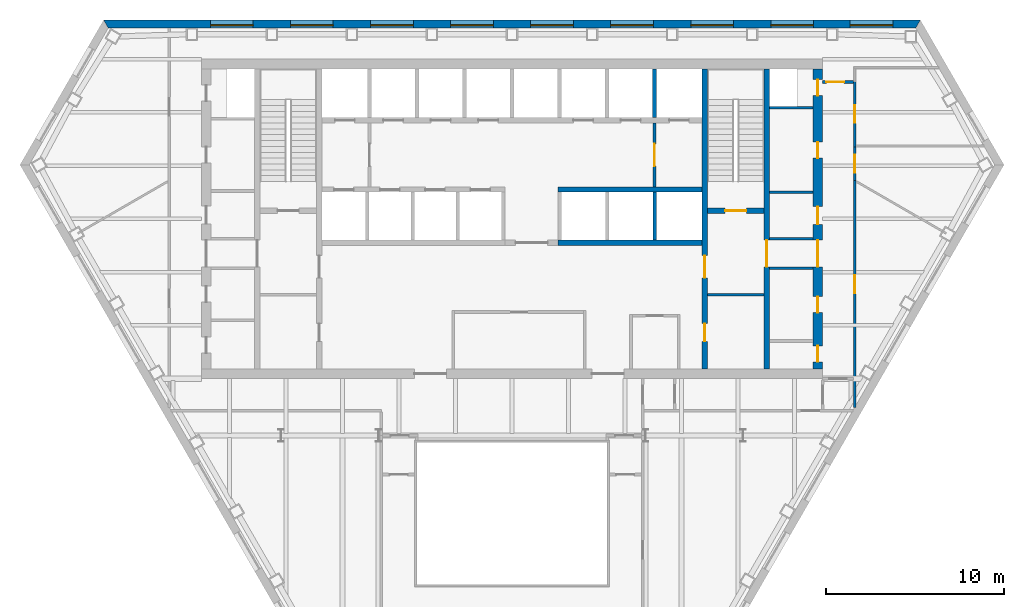
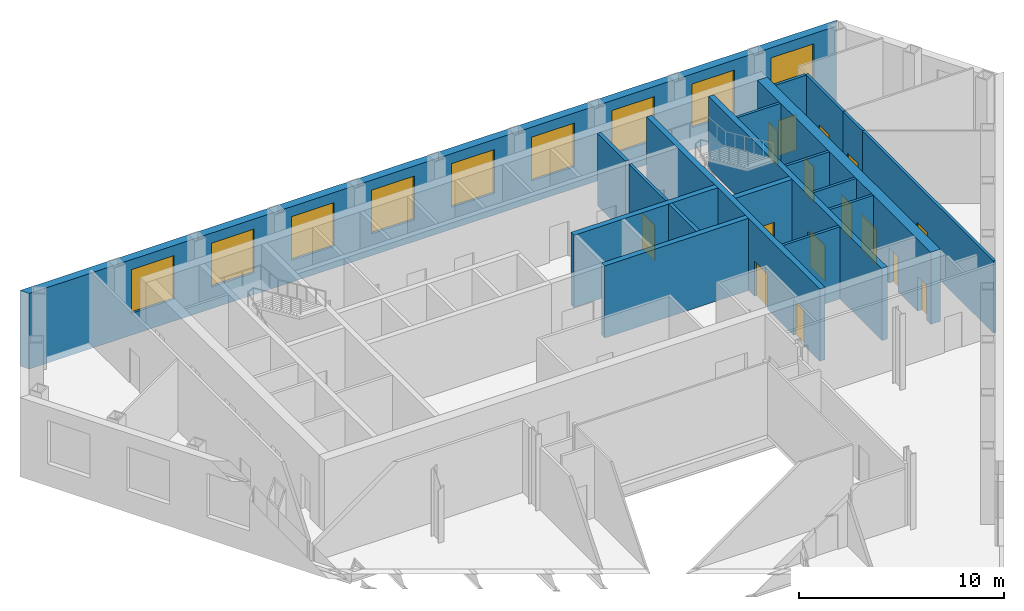
# One storey, part 7 of 11: 19 walls, 15 doors, 9 windows, 24 openings.
"""IFC4 building model written with IfcOpenShell, lengths in metres."""

from ifc_helpers import new_model, si_unit, direction, frame, frame_2d, origin, place, context, subcontext, project, spatial, polyline, rectangle, outline, extrude, material, layer, layer_set, type_object, element, fill, save


model = new_model("IFC4")

# Units and contexts
model_context = context("Model", 3, precision=1e-05, world=origin(), true_north=direction((0.0, 1.0)))
body_context = subcontext(model_context, "Body", "Model", "MODEL_VIEW")
ifc_project = project(units=[si_unit("LENGTHUNIT", "METRE"), si_unit("AREAUNIT", "SQUARE_METRE"), si_unit("VOLUMEUNIT", "CUBIC_METRE"), si_unit("PLANEANGLEUNIT", "RADIAN"), si_unit("MASSUNIT", "GRAM", prefix="KILO")], contexts=[model_context])

# Site, building, storey
site_placement = place(None, origin())
site = spatial("IfcSite", under=ifc_project, at=site_placement, CompositionType="ELEMENT")
building_placement = place(site_placement, origin())
building = spatial("IfcBuilding", under=site, at=building_placement, Name="Njiva Tower", CompositionType="ELEMENT")
storey_placement = place(building_placement, frame((0.0, 0.0, 129.3)))
storey = spatial("IfcBuildingStorey", under=building, at=storey_placement, Name="L27", CompositionType="ELEMENT", Elevation=129.3)

# Walls
ifc_material_1 = material(Name="Blockwork", Category="masonry")
ifc_layer_1 = layer(ifc_material_1, 0.15)
ifc_layer_set_1 = layer_set([ifc_layer_1], Name="Blockwork")
wall_type_1 = type_object("IfcWallType", Name="WT1 Compartment partition 150", PredefinedType="PARTITIONING", material=ifc_layer_set_1)
wall_1_placement = place(storey_placement, frame((11.0, 4.725, 0.0), z_axis=(0.0, 0.0, 1.0), x_axis=(1.0, 0.0, 0.0)))
element("IfcWall", 1, at=wall_1_placement, inside=storey, type_object=wall_type_1, Name="Room wall B", PredefinedType="PARTITIONING", context=body_context, shape_type="SweptSolid", body=[
    extrude(rectangle(XDim=3.2, YDim=0.15, at=frame_2d((1.6, 0.0))), origin(), (0.0, 0.0, 1.0), 4.3),
])
wall_2_placement = place(storey_placement, frame((14.5, 10.5019, 0.0), z_axis=(0.0, 0.0, 1.0), x_axis=(1.0, 0.0, 0.0)))
element("IfcWall", 2, at=wall_2_placement, inside=storey, type_object=wall_type_1, Name="Partition strip E10", PredefinedType="PARTITIONING", context=body_context, shape_type="SweptSolid", body=[
    extrude(rectangle(XDim=2.45, YDim=0.15, at=frame_2d((1.225, 0.0))), origin(), (0.0, 0.0, 1.0), 4.3),
])

# Wall, openings, doors
ifc_material_2 = material(Name="Concrete C40/50", Category="concrete")
ifc_layer_2 = layer(ifc_material_2, 0.3)
ifc_layer_set_2 = layer_set([ifc_layer_2], Name="Concrete C40/50")
wall_type_2 = type_object("IfcWallType", Name="WT10 Stair enclosure wall 300", PredefinedType="SHEAR", material=ifc_layer_set_2)
wall_3_placement = place(storey_placement, frame((10.85, 0.55, 0.0), z_axis=(0.0, 0.0, 1.0), x_axis=(0.0, 1.0, 0.0)))
wall_3 = element("IfcWall", 3, at=wall_3_placement, inside=storey, type_object=wall_type_2, Name="Stair wall east inner", PredefinedType="SHEAR", context=body_context, shape_type="SweptSolid", body=[
    extrude(rectangle(XDim=16.9, YDim=0.3, at=frame_2d((8.45, 0.0))), origin(), (0.0, 0.0, 1.0), 4.3),
])
opening_1_placement = place(wall_3_placement, frame((5.125, 0.0, 0.0)))
opening_1 = element("IfcOpeningElement", 4, at=opening_1_placement, cuts=wall_3, Name="Opening S09-D918", PredefinedType="OPENING", context=body_context, shape_type="SweptSolid", body=[
    extrude(rectangle(XDim=1.25, YDim=2.1, at=frame_2d((0.625, 1.05))), frame((0.0, 0.16, 0.0), z_axis=(0.0, -1.0, 0.0), x_axis=(1.0, 0.0, 0.0)), (0.0, 0.0, 1.0), 0.32),
])
opening_2_placement = place(wall_3_placement, frame((1.55, 0.0, 0.0)))
opening_2 = element("IfcOpeningElement", 5, at=opening_2_placement, cuts=wall_3, Name="Opening S09-D919", PredefinedType="OPENING", context=body_context, shape_type="SweptSolid", body=[
    extrude(rectangle(XDim=1.0, YDim=2.1, at=frame_2d((0.5, 1.05))), frame((0.0, 0.16, 0.0), z_axis=(0.0, -1.0, 0.0), x_axis=(1.0, 0.0, 0.0)), (0.0, 0.0, 1.0), 0.32),
])
ifc_material_3 = material(Name="Steel door, painted", Category="steel")
door_type_1 = type_object("IfcDoorType", Name="D5 Steel door 1000x2100", OperationType="SINGLE_SWING_LEFT", PredefinedType="DOOR", material=ifc_material_3)
door_1_placement = place(opening_2_placement, origin())
door_1 = element("IfcDoor", 6, at=door_1_placement, inside=storey, type_object=door_type_1, Name="Prayer room door", OperationType="SINGLE_SWING_LEFT", OverallHeight=2.1, OverallWidth=1.0, PredefinedType="DOOR", context=body_context, shape_type="SweptSolid", body=[
    extrude(rectangle(XDim=1.0, YDim=2.1, at=frame_2d((0.5, 1.05))), frame((0.0, 0.025, 0.0), z_axis=(0.0, -1.0, 0.0), x_axis=(1.0, 0.0, 0.0)), (0.0, 0.0, 1.0), 0.05),
])
fill(opening_2, door_1)
ifc_material_4 = material(Name="Glazed steel fire door", Category="steel")
door_type_2 = type_object("IfcDoorType", Name="D8 Vestibule corridor door 1250x2100 glazed", OperationType="SINGLE_SWING_LEFT", PredefinedType="DOOR", material=ifc_material_4)
door_2_placement = place(opening_1_placement, origin())
door_2 = element("IfcDoor", 7, at=door_2_placement, inside=storey, type_object=door_type_2, Name="Stair vestibule corridor door", OperationType="SINGLE_SWING_RIGHT", OverallHeight=2.1, OverallWidth=1.25, PredefinedType="DOOR", context=body_context, shape_type="SweptSolid", body=[
    extrude(rectangle(XDim=1.25, YDim=2.1, at=frame_2d((0.625, 1.05))), frame((0.0, 0.025, 0.0), z_axis=(0.0, -1.0, 0.0), x_axis=(1.0, 0.0, 0.0)), (0.0, 0.0, 1.0), 0.05),
])
fill(opening_1, door_2)

# Wall, opening, door
wall_4_placement = place(storey_placement, frame((14.35, 0.55, 0.0), z_axis=(0.0, 0.0, 1.0), x_axis=(0.0, 1.0, 0.0)))
wall_4 = element("IfcWall", 8, at=wall_4_placement, inside=storey, type_object=wall_type_2, Name="Stair wall east outer", PredefinedType="SHEAR", context=body_context, shape_type="SweptSolid", body=[
    extrude(rectangle(XDim=16.9, YDim=0.3, at=frame_2d((8.45, 0.0))), origin(), (0.0, 0.0, 1.0), 4.3),
])
opening_3_placement = place(wall_4_placement, frame((5.75, 0.0, 0.0)))
opening_3 = element("IfcOpeningElement", 9, at=opening_3_placement, cuts=wall_4, Name="Opening S09-D927", PredefinedType="OPENING", context=body_context, shape_type="SweptSolid", body=[
    extrude(rectangle(XDim=1.5, YDim=2.1, at=frame_2d((0.75, 1.05))), frame((0.0, 0.16, 0.0), z_axis=(0.0, -1.0, 0.0), x_axis=(1.0, 0.0, 0.0)), (0.0, 0.0, 1.0), 0.32),
])
door_type_3 = type_object("IfcDoorType", Name="D10 Exit door double 1500x2100 glazed", OperationType="DOUBLE_DOOR_SINGLE_SWING", PredefinedType="DOOR", material=ifc_material_4)
door_3_placement = place(opening_3_placement, origin())
door_3 = element("IfcDoor", 10, at=door_3_placement, inside=storey, type_object=door_type_3, Name="Stair B passage door", OperationType="DOUBLE_DOOR_SINGLE_SWING", OverallHeight=2.1, OverallWidth=1.5, PredefinedType="DOOR", context=body_context, shape_type="SweptSolid", body=[
    extrude(rectangle(XDim=1.5, YDim=2.1, at=frame_2d((0.75, 1.05))), frame((0.0, 0.025, 0.0), z_axis=(0.0, -1.0, 0.0), x_axis=(1.0, 0.0, 0.0)), (0.0, 0.0, 1.0), 0.05),
])
fill(opening_3, door_3)

wall_5_placement = place(storey_placement, frame((11.0, 9.45, 0.0), z_axis=(0.0, 0.0, 1.0), x_axis=(1.0, 0.0, 0.0)))
wall_5 = element("IfcWall", 11, at=wall_5_placement, inside=storey, type_object=wall_type_2, Name="Stair B south wall", PredefinedType="SHEAR", context=body_context, shape_type="SweptSolid", body=[
    extrude(rectangle(XDim=3.2, YDim=0.3, at=frame_2d((1.6, 0.0))), origin(), (0.0, 0.0, 1.0), 4.3),
])
opening_4_placement = place(wall_5_placement, frame((1.0, 0.0, 0.0)))
opening_4 = element("IfcOpeningElement", 12, at=opening_4_placement, cuts=wall_5, Name="Opening S09-D917", PredefinedType="OPENING", context=body_context, shape_type="SweptSolid", body=[
    extrude(rectangle(XDim=1.2, YDim=2.1, at=frame_2d((0.6, 1.05))), frame((0.0, 0.16, 0.0), z_axis=(0.0, -1.0, 0.0), x_axis=(1.0, 0.0, 0.0)), (0.0, 0.0, 1.0), 0.32),
])
door_type_4 = type_object("IfcDoorType", Name="D7 Stair vestibule door 1200x2100 glazed", OperationType="SINGLE_SWING_LEFT", PredefinedType="DOOR", material=ifc_material_4)
door_4_placement = place(opening_4_placement, origin())
door_4 = element("IfcDoor", 13, at=door_4_placement, inside=storey, type_object=door_type_4, Name="Stair B door", OperationType="SINGLE_SWING_LEFT", OverallHeight=2.1, OverallWidth=1.2, PredefinedType="DOOR", context=body_context, shape_type="SweptSolid", body=[
    extrude(rectangle(XDim=1.2, YDim=2.1, at=frame_2d((0.6, 1.05))), frame((0.0, 0.025, 0.0), z_axis=(0.0, -1.0, 0.0), x_axis=(1.0, 0.0, 0.0)), (0.0, 0.0, 1.0), 0.05),
])
fill(opening_4, door_4)

# Wall, openings, doors
ifc_material_5 = material(Name="Concrete C60/75", Category="concrete")
ifc_layer_3 = layer(ifc_material_5, 0.55)
ifc_layer_set_3 = layer_set([ifc_layer_3], Name="Concrete C60/75")
wall_type_3 = type_object("IfcWallType", Name="WT14 Core wall 550", PredefinedType="SHEAR", material=ifc_layer_set_3)
wall_6_placement = place(storey_placement, frame((17.225, 0.55, 0.0), z_axis=(0.0, 0.0, 1.0), x_axis=(0.0, 1.0, 0.0)))
wall_6 = element("IfcWall", 14, at=wall_6_placement, inside=storey, type_object=wall_type_3, Name="Core wall east", PredefinedType="SHEAR", context=body_context, shape_type="SweptSolid", body=[
    extrude(rectangle(XDim=16.9, YDim=0.55, at=frame_2d((8.45, 0.0))), origin(), (0.0, 0.0, 1.0), 4.3),
])
opening_5_placement = place(wall_6_placement, frame((5.75, 0.0, 0.0)))
opening_5 = element("IfcOpeningElement", 15, at=opening_5_placement, cuts=wall_6, Name="Opening S09-D928", PredefinedType="OPENING", context=body_context, shape_type="SweptSolid", body=[
    extrude(rectangle(XDim=1.5, YDim=2.1, at=frame_2d((0.75, 1.05))), frame((0.0, 0.285, 0.0), z_axis=(0.0, -1.0, 0.0), x_axis=(1.0, 0.0, 0.0)), (0.0, 0.0, 1.0), 0.57),
])
opening_6_placement = place(wall_6_placement, frame((0.4, 0.0, 0.0)))
opening_6 = element("IfcOpeningElement", 16, at=opening_6_placement, cuts=wall_6, Name="Opening S09-D929", PredefinedType="OPENING", context=body_context, shape_type="SweptSolid", body=[
    extrude(rectangle(XDim=0.9, YDim=2.1, at=frame_2d((0.45, 1.05))), frame((0.0, 0.285, 0.0), z_axis=(0.0, -1.0, 0.0), x_axis=(1.0, 0.0, 0.0)), (0.0, 0.0, 1.0), 0.57),
])
opening_7_placement = place(wall_6_placement, frame((3.175, 0.0, 0.0)))
opening_7 = element("IfcOpeningElement", 17, at=opening_7_placement, cuts=wall_6, Name="Opening S09-D930", PredefinedType="OPENING", context=body_context, shape_type="SweptSolid", body=[
    extrude(rectangle(XDim=0.9, YDim=2.1, at=frame_2d((0.45, 1.05))), frame((0.0, 0.285, 0.0), z_axis=(0.0, -1.0, 0.0), x_axis=(1.0, 0.0, 0.0)), (0.0, 0.0, 1.0), 0.57),
])
opening_8_placement = place(wall_6_placement, frame((8.1385, 0.0, 0.0)))
opening_8 = element("IfcOpeningElement", 18, at=opening_8_placement, cuts=wall_6, Name="Opening S09-D931", PredefinedType="OPENING", context=body_context, shape_type="SweptSolid", body=[
    extrude(rectangle(XDim=1.0, YDim=2.1, at=frame_2d((0.5, 1.05))), frame((0.0, 0.285, 0.0), z_axis=(0.0, -1.0, 0.0), x_axis=(1.0, 0.0, 0.0)), (0.0, 0.0, 1.0), 0.57),
])
opening_9_placement = place(wall_6_placement, frame((11.8769, 0.0, 0.0)))
opening_9 = element("IfcOpeningElement", 19, at=opening_9_placement, cuts=wall_6, Name="Opening S09-D932", PredefinedType="OPENING", context=body_context, shape_type="SweptSolid", body=[
    extrude(rectangle(XDim=0.9, YDim=2.1, at=frame_2d((0.45, 1.05))), frame((0.0, 0.285, 0.0), z_axis=(0.0, -1.0, 0.0), x_axis=(1.0, 0.0, 0.0)), (0.0, 0.0, 1.0), 0.57),
])
opening_10_placement = place(wall_6_placement, frame((15.3885, 0.0, 0.0)))
opening_10 = element("IfcOpeningElement", 20, at=opening_10_placement, cuts=wall_6, Name="Opening S09-D933", PredefinedType="OPENING", context=body_context, shape_type="SweptSolid", body=[
    extrude(rectangle(XDim=0.9, YDim=2.1, at=frame_2d((0.45, 1.05))), frame((0.0, 0.285, 0.0), z_axis=(0.0, -1.0, 0.0), x_axis=(1.0, 0.0, 0.0)), (0.0, 0.0, 1.0), 0.57),
])
door_5_placement = place(opening_5_placement, origin())
door_5 = element("IfcDoor", 21, at=door_5_placement, inside=storey, type_object=door_type_3, Name="Stair B corridor door", OperationType="DOUBLE_DOOR_SINGLE_SWING", OverallHeight=2.1, OverallWidth=1.5, PredefinedType="DOOR", context=body_context, shape_type="SweptSolid", body=[
    extrude(rectangle(XDim=1.5, YDim=2.1, at=frame_2d((0.75, 1.05))), frame((0.0, 0.025, 0.0), z_axis=(0.0, -1.0, 0.0), x_axis=(1.0, 0.0, 0.0)), (0.0, 0.0, 1.0), 0.05),
])
fill(opening_5, door_5)
door_type_5 = type_object("IfcDoorType", Name="D4 Riser door 900x2100", OperationType="SINGLE_SWING_LEFT", PredefinedType="DOOR", material=ifc_material_3)
door_6_placement = place(opening_10_placement, origin())
door_6 = element("IfcDoor", 22, at=door_6_placement, inside=storey, type_object=door_type_5, Name="Riser door", OperationType="SINGLE_SWING_RIGHT", OverallHeight=2.1, OverallWidth=0.9, PredefinedType="DOOR", context=body_context, shape_type="SweptSolid", body=[
    extrude(rectangle(XDim=0.9, YDim=2.1, at=frame_2d((0.45, 1.05))), frame((0.0, 0.025, 0.0), z_axis=(0.0, -1.0, 0.0), x_axis=(1.0, 0.0, 0.0)), (0.0, 0.0, 1.0), 0.05),
])
fill(opening_10, door_6)
door_7_placement = place(opening_8_placement, origin())
door_7 = element("IfcDoor", 23, at=door_7_placement, inside=storey, type_object=door_type_1, Name="Electrical room door", OperationType="SINGLE_SWING_LEFT", OverallHeight=2.1, OverallWidth=1.0, PredefinedType="DOOR", context=body_context, shape_type="SweptSolid", body=[
    extrude(rectangle(XDim=1.0, YDim=2.1, at=frame_2d((0.5, 1.05))), frame((0.0, 0.025, 0.0), z_axis=(0.0, -1.0, 0.0), x_axis=(1.0, 0.0, 0.0)), (0.0, 0.0, 1.0), 0.05),
])
fill(opening_8, door_7)
ifc_material_6 = material(Name="Steel fire door, painted", Category="steel")
door_type_6 = type_object("IfcDoorType", Name="D6 Fire-rated door 900x2100", OperationType="SINGLE_SWING_LEFT", PredefinedType="DOOR", material=ifc_material_6)
door_8_placement = place(opening_6_placement, origin())
door_8 = element("IfcDoor", 24, at=door_8_placement, inside=storey, type_object=door_type_6, Name="Cleaner's store door", OperationType="SINGLE_SWING_RIGHT", OverallHeight=2.1, OverallWidth=0.9, PredefinedType="DOOR", context=body_context, shape_type="SweptSolid", body=[
    extrude(rectangle(XDim=0.9, YDim=2.1, at=frame_2d((0.45, 1.05))), frame((0.0, 0.025, 0.0), z_axis=(0.0, -1.0, 0.0), x_axis=(1.0, 0.0, 0.0)), (0.0, 0.0, 1.0), 0.05),
])
fill(opening_6, door_8)
door_9_placement = place(opening_7_placement, origin())
door_9 = element("IfcDoor", 25, at=door_9_placement, inside=storey, type_object=door_type_6, Name="Reading room door", OperationType="SINGLE_SWING_RIGHT", OverallHeight=2.1, OverallWidth=0.9, PredefinedType="DOOR", context=body_context, shape_type="SweptSolid", body=[
    extrude(rectangle(XDim=0.9, YDim=2.1, at=frame_2d((0.45, 1.05))), frame((0.0, 0.025, 0.0), z_axis=(0.0, -1.0, 0.0), x_axis=(1.0, 0.0, 0.0)), (0.0, 0.0, 1.0), 0.05),
])
fill(opening_7, door_9)
door_10_placement = place(opening_9_placement, origin())
door_10 = element("IfcDoor", 26, at=door_10_placement, inside=storey, type_object=door_type_6, Name="Prayer room door", OperationType="SINGLE_SWING_LEFT", OverallHeight=2.1, OverallWidth=0.9, PredefinedType="DOOR", context=body_context, shape_type="SweptSolid", body=[
    extrude(rectangle(XDim=0.9, YDim=2.1, at=frame_2d((0.45, 1.05))), frame((0.0, 0.025, 0.0), z_axis=(0.0, -1.0, 0.0), x_axis=(1.0, 0.0, 0.0)), (0.0, 0.0, 1.0), 0.05),
])
fill(opening_9, door_10)

# Wall, opening, door
ifc_layer_4 = layer(ifc_material_1, 0.15)
ifc_layer_set_4 = layer_set([ifc_layer_4], Name="Blockwork")
wall_type_4 = type_object("IfcWallType", Name="WT2 Lobby partition 150", PredefinedType="PARTITIONING", material=ifc_layer_set_4)
wall_7_placement = place(storey_placement, frame((8.025, 10.8, 0.0), z_axis=(0.0, 0.0, 1.0), x_axis=(0.0, 1.0, 0.0)))
wall_7 = element("IfcWall", 27, at=wall_7_placement, inside=storey, type_object=wall_type_4, Name="Firefighting lobby wall B", PredefinedType="PARTITIONING", context=body_context, shape_type="SweptSolid", body=[
    extrude(rectangle(XDim=3.6, YDim=0.15, at=frame_2d((1.8, 0.0))), origin(), (0.0, 0.0, 1.0), 4.3),
])
opening_11_placement = place(wall_7_placement, frame((1.175, 0.0, 0.0)))
opening_11 = element("IfcOpeningElement", 28, at=opening_11_placement, cuts=wall_7, Name="Opening S09-D916", PredefinedType="OPENING", context=body_context, shape_type="SweptSolid", body=[
    extrude(rectangle(XDim=1.25, YDim=2.1, at=frame_2d((0.625, 1.05))), frame((0.0, 0.085, 0.0), z_axis=(0.0, -1.0, 0.0), x_axis=(1.0, 0.0, 0.0)), (0.0, 0.0, 1.0), 0.17),
])
door_11_placement = place(opening_11_placement, origin())
door_11 = element("IfcDoor", 29, at=door_11_placement, inside=storey, type_object=door_type_2, Name="Stair vestibule corridor door", OperationType="SINGLE_SWING_LEFT", OverallHeight=2.1, OverallWidth=1.25, PredefinedType="DOOR", context=body_context, shape_type="SweptSolid", body=[
    extrude(rectangle(XDim=1.25, YDim=2.1, at=frame_2d((0.625, 1.05))), frame((0.0, 0.025, 0.0), z_axis=(0.0, -1.0, 0.0), x_axis=(1.0, 0.0, 0.0)), (0.0, 0.0, 1.0), 0.05),
])
fill(opening_11, door_11)

ifc_material_7 = material(Name="Gypsum board on steel studs", Category="gypsum")
ifc_layer_5 = layer(ifc_material_7, 0.15)
ifc_layer_set_5 = layer_set([ifc_layer_5], Name="Gypsum board on steel studs")
wall_type_5 = type_object("IfcWallType", Name="WT21 Compartment wall 150", PredefinedType="PARTITIONING", material=ifc_layer_set_5)
wall_8_placement = place(storey_placement, frame((17.5, 16.711, 0.0), z_axis=(0.0, 0.0, 1.0), x_axis=(1.0, 0.0, 0.0)))
wall_8 = element("IfcWall", 30, at=wall_8_placement, inside=storey, type_object=wall_type_5, Name="Partition S09-P019", PredefinedType="PARTITIONING", context=body_context, shape_type="SweptSolid", body=[
    extrude(rectangle(XDim=1.725, YDim=0.15, at=frame_2d((0.8625, 0.0))), origin(), (0.0, 0.0, 1.0), 4.3),
])
opening_12_placement = place(wall_8_placement, frame((0.2, 0.0, 0.0)))
opening_12 = element("IfcOpeningElement", 31, at=opening_12_placement, cuts=wall_8, Name="Opening S09-D014", PredefinedType="OPENING", context=body_context, shape_type="SweptSolid", body=[
    extrude(rectangle(XDim=1.0, YDim=2.1, at=frame_2d((0.5, 1.05))), frame((0.0, 0.085, 0.0), z_axis=(0.0, -1.0, 0.0), x_axis=(1.0, 0.0, 0.0)), (0.0, 0.0, 1.0), 0.17),
])
ifc_material_8 = material(Name="Steel fire door set", Category="steel")
door_type_7 = type_object("IfcDoorType", Name="D37 Fire door 1000x2100", OperationType="SINGLE_SWING_LEFT", PredefinedType="DOOR", material=ifc_material_8)
door_12_placement = place(opening_12_placement, origin())
door_12 = element("IfcDoor", 32, at=door_12_placement, inside=storey, type_object=door_type_7, Name="Door S09-D014", OperationType="SINGLE_SWING_RIGHT", OverallHeight=2.1, OverallWidth=1.0, PredefinedType="DOOR", context=body_context, shape_type="SweptSolid", body=[
    extrude(rectangle(XDim=1.0, YDim=2.1, at=frame_2d((0.5, 1.05))), frame((0.0, 0.025, 0.0), z_axis=(0.0, -1.0, 0.0), x_axis=(1.0, 0.0, 0.0)), (0.0, 0.0, 1.0), 0.05),
])
fill(opening_12, door_12)

wall_9_placement = place(storey_placement, frame((19.3, -1.622, 0.0), z_axis=(0.0, 0.0, 1.0), x_axis=(0.0, 1.0, 0.0)))
wall_9 = element("IfcWall", 33, at=wall_9_placement, inside=storey, type_object=wall_type_5, Name="Partition S09-P021", PredefinedType="PARTITIONING", context=body_context, shape_type="SweptSolid", body=[
    extrude(rectangle(XDim=12.792, YDim=0.15, at=frame_2d((6.396, 0.0))), origin(), (0.0, 0.0, 1.0), 4.3),
])
opening_13_placement = place(wall_9_placement, frame((6.443, 0.0, 0.0)))
opening_13 = element("IfcOpeningElement", 34, at=opening_13_placement, cuts=wall_9, Name="Opening S09-D015", PredefinedType="OPENING", context=body_context, shape_type="SweptSolid", body=[
    extrude(rectangle(XDim=1.0, YDim=2.1, at=frame_2d((0.5, 1.05))), frame((0.0, 0.085, 0.0), z_axis=(0.0, -1.0, 0.0), x_axis=(1.0, 0.0, 0.0)), (0.0, 0.0, 1.0), 0.17),
])
door_13_placement = place(opening_13_placement, origin())
door_13 = element("IfcDoor", 35, at=door_13_placement, inside=storey, type_object=door_type_7, Name="Door S09-D015", OperationType="SINGLE_SWING_RIGHT", OverallHeight=2.1, OverallWidth=1.0, PredefinedType="DOOR", context=body_context, shape_type="SweptSolid", body=[
    extrude(rectangle(XDim=1.0, YDim=2.1, at=frame_2d((0.5, 1.05))), frame((0.0, 0.025, 0.0), z_axis=(0.0, -1.0, 0.0), x_axis=(1.0, 0.0, 0.0)), (0.0, 0.0, 1.0), 0.05),
])
fill(opening_13, door_13)

wall_10_placement = place(storey_placement, frame((19.3, 13.052, 0.0), z_axis=(0.0, 0.0, 1.0), x_axis=(0.0, 1.0, 0.0)))
wall_10 = element("IfcWall", 36, at=wall_10_placement, inside=storey, type_object=wall_type_5, Name="Partition S09-P022", PredefinedType="PARTITIONING", context=body_context, shape_type="SweptSolid", body=[
    extrude(rectangle(XDim=3.671, YDim=0.15, at=frame_2d((1.8355, 0.0))), origin(), (0.0, 0.0, 1.0), 4.3),
])
opening_14_placement = place(wall_10_placement, frame((1.36, 0.0, 0.0)))
opening_14 = element("IfcOpeningElement", 37, at=opening_14_placement, cuts=wall_10, Name="Opening S09-D016", PredefinedType="OPENING", context=body_context, shape_type="SweptSolid", body=[
    extrude(rectangle(XDim=1.0, YDim=2.1, at=frame_2d((0.5, 1.05))), frame((0.0, 0.085, 0.0), z_axis=(0.0, -1.0, 0.0), x_axis=(1.0, 0.0, 0.0)), (0.0, 0.0, 1.0), 0.17),
])
door_14_placement = place(opening_14_placement, origin())
door_14 = element("IfcDoor", 38, at=door_14_placement, inside=storey, type_object=door_type_7, Name="Door S09-D016", OperationType="SINGLE_SWING_RIGHT", OverallHeight=2.1, OverallWidth=1.0, PredefinedType="DOOR", context=body_context, shape_type="SweptSolid", body=[
    extrude(rectangle(XDim=1.0, YDim=2.1, at=frame_2d((0.5, 1.05))), frame((0.0, 0.025, 0.0), z_axis=(0.0, -1.0, 0.0), x_axis=(1.0, 0.0, 0.0)), (0.0, 0.0, 1.0), 0.05),
])
fill(opening_14, door_14)

wall_11_placement = place(storey_placement, frame((19.3, 13.052, 0.0), z_axis=(0.0, 0.0, 1.0), x_axis=(0.000531349553, -0.999999858834, 0.0)))
wall_11 = element("IfcWall", 39, at=wall_11_placement, inside=storey, type_object=wall_type_5, Name="Partition S09-P024", PredefinedType="PARTITIONING", context=body_context, shape_type="SweptSolid", body=[
    extrude(rectangle(XDim=1.882, YDim=0.15, at=frame_2d((0.941, 0.0))), origin(), (0.0, 0.0, 1.0), 4.3),
])
opening_15_placement = place(wall_11_placement, frame((0.441, 0.0, 0.0)))
opening_15 = element("IfcOpeningElement", 40, at=opening_15_placement, cuts=wall_11, Name="Opening S09-D017", PredefinedType="OPENING", context=body_context, shape_type="SweptSolid", body=[
    extrude(rectangle(XDim=1.0, YDim=2.1, at=frame_2d((0.5, 1.05))), frame((0.0, 0.085, 0.0), z_axis=(0.0, -1.0, 0.0), x_axis=(1.0, 0.0, 0.0)), (0.0, 0.0, 1.0), 0.17),
])
door_15_placement = place(opening_15_placement, origin())
door_15 = element("IfcDoor", 41, at=door_15_placement, inside=storey, type_object=door_type_7, Name="Door S09-D017", OperationType="SINGLE_SWING_RIGHT", OverallHeight=2.1, OverallWidth=1.0, PredefinedType="DOOR", context=body_context, shape_type="SweptSolid", body=[
    extrude(rectangle(XDim=1.0, YDim=2.1, at=frame_2d((0.5, 1.05))), frame((0.0, 0.025, 0.0), z_axis=(0.0, -1.0, 0.0), x_axis=(1.0, 0.0, 0.0)), (0.0, 0.0, 1.0), 0.05),
])
fill(opening_15, door_15)

# Walls
ifc_layer_6 = layer(ifc_material_1, 0.15)
ifc_layer_set_6 = layer_set([ifc_layer_6], Name="Blockwork")
wall_type_6 = type_object("IfcWallType", Name="WT3 Riser partition 150", PredefinedType="PARTITIONING", material=ifc_layer_set_6)
wall_12_placement = place(storey_placement, frame((14.5, 15.2519, 0.0), z_axis=(0.0, 0.0, 1.0), x_axis=(1.0, 0.0, 0.0)))
element("IfcWall", 42, at=wall_12_placement, inside=storey, type_object=wall_type_6, Name="Partition strip E11", PredefinedType="PARTITIONING", context=body_context, shape_type="SweptSolid", body=[
    extrude(rectangle(XDim=2.45, YDim=0.15, at=frame_2d((1.225, 0.0))), origin(), (0.0, 0.0, 1.0), 4.3),
])
ifc_layer_7 = layer(ifc_material_1, 0.15)
ifc_layer_set_7 = layer_set([ifc_layer_7], Name="Blockwork")
wall_type_7 = type_object("IfcWallType", Name="WT4 Stair partition 150", PredefinedType="PARTITIONING", material=ifc_layer_set_7)
for number, where, z_axis, x_axis, name in (
    (43, (14.5, 6.225, 0.0), (0.0, 0.0, 1.0), (1.0, 0.0, 0.0), "Stair B exit passage wall south"),
    (44, (14.5, 7.875, 0.0), (0.0, 0.0, 1.0), (1.0, 0.0, 0.0), "Stair B exit passage wall north"),
):
    element("IfcWall", number, at=place(storey_placement, frame(where, z_axis=z_axis, x_axis=x_axis)), inside=storey, type_object=wall_type_7, Name=name, PredefinedType="PARTITIONING", context=body_context, shape_type="SweptSolid", body=[
        extrude(rectangle(XDim=2.45, YDim=0.15, at=frame_2d((1.225, 0.0))), origin(), (0.0, 0.0, 1.0), 4.3),
    ])
ifc_layer_8 = layer(ifc_material_2, 0.2)
ifc_layer_set_8 = layer_set([ifc_layer_8], Name="Concrete C40/50")
wall_type_8 = type_object("IfcWallType", Name="WT6 Lift shaft wall 200", PredefinedType="SHEAR", material=ifc_layer_set_8)
wall_13_placement = place(storey_placement, frame((8.025, 14.7, 0.0), z_axis=(0.0, 0.0, 1.0), x_axis=(0.0, 1.0, 0.0)))
element("IfcWall", 45, at=wall_13_placement, inside=storey, type_object=wall_type_8, Name="Shaft wall CN7", PredefinedType="SHEAR", context=body_context, shape_type="SweptSolid", body=[
    extrude(rectangle(XDim=2.75, YDim=0.2, at=frame_2d((1.375, 0.0))), origin(), (0.0, 0.0, 1.0), 4.3),
])
wall_14_placement = place(storey_placement, frame((8.0333, 7.8, 0.0), z_axis=(0.0, 0.0, 1.0), x_axis=(0.0, 1.0, 0.0)))
element("IfcWall", 46, at=wall_14_placement, inside=storey, type_object=wall_type_8, Name="Shaft wall CS7", PredefinedType="SHEAR", context=body_context, shape_type="SweptSolid", body=[
    extrude(rectangle(XDim=2.7, YDim=0.2, at=frame_2d((1.35, 0.0))), origin(), (0.0, 0.0, 1.0), 4.3),
])
ifc_layer_9 = layer(ifc_material_2, 0.3)
ifc_layer_set_9 = layer_set([ifc_layer_9], Name="Concrete C40/50")
wall_type_9 = type_object("IfcWallType", Name="WT7 Lift shaft wall 300", PredefinedType="SHEAR", material=ifc_layer_set_9)
for number, where, z_axis, x_axis, name in (
    (47, (2.6, 10.65, 0.0), (0.0, 0.0, 1.0), (1.0, 0.0, 0.0), "Shaft wall south row lobby side E"),
    (48, (2.6, 7.65, 0.0), (0.0, 0.0, 1.0), (1.0, 0.0, 0.0), "Shaft wall south row back E"),
):
    element("IfcWall", number, at=place(storey_placement, frame(where, z_axis=z_axis, x_axis=x_axis)), inside=storey, type_object=wall_type_9, Name=name, PredefinedType="SHEAR", context=body_context, shape_type="SweptSolid", body=[
        extrude(rectangle(XDim=8.1, YDim=0.3, at=frame_2d((4.05, 0.0))), origin(), (0.0, 0.0, 1.0), 4.3),
    ])

# Wall, openings, windows
ifc_material_9 = material(Name="Brick masonry", Category="masonry")
ifc_layer_10 = layer(ifc_material_9, 0.45)
ifc_layer_set_10 = layer_set([ifc_layer_10], Name="Brick masonry")
wall_type_10 = type_object("IfcWallType", Name="WT90 Brick pier and spandrel wall 450", PredefinedType="SOLIDWALL", material=ifc_layer_set_10)
wall_15_placement = place(storey_placement, frame((22.8701, 19.975, -0.4), z_axis=(0.0, 0.0, 1.0), x_axis=(-1.0, 0.0, 0.0)))
wall_15 = element("IfcWall", 49, at=wall_15_placement, inside=storey, type_object=wall_type_10, Name="Facade wall N", PredefinedType="SOLIDWALL", context=body_context, shape_type="SweptSolid", body=[
    extrude(outline(polyline([(-0.1299, -0.225), (45.8701, -0.225), (45.6103, 0.225), (0.1299, 0.225), (-0.1299, -0.225)])), origin(), (0.0, 0.0, 1.0), 4.5),
])
opening_16_placement = place(wall_15_placement, frame((1.4242, 0.0, 1.3)))
opening_16 = element("IfcOpeningElement", 50, at=opening_16_placement, cuts=wall_15, Name="Opening S09-W01", PredefinedType="OPENING", context=body_context, shape_type="SweptSolid", body=[
    extrude(rectangle(XDim=2.4, YDim=2.6, at=frame_2d((1.2, 1.3))), frame((0.0, 0.235, 0.0), z_axis=(0.0, -1.0, 0.0), x_axis=(1.0, 0.0, 0.0)), (0.0, 0.0, 1.0), 0.47),
])
opening_17_placement = place(wall_15_placement, frame((5.8934, 0.0, 1.3)))
opening_17 = element("IfcOpeningElement", 51, at=opening_17_placement, cuts=wall_15, Name="Opening S09-W02", PredefinedType="OPENING", context=body_context, shape_type="SweptSolid", body=[
    extrude(rectangle(XDim=2.4, YDim=2.6, at=frame_2d((1.2, 1.3))), frame((0.0, 0.235, 0.0), z_axis=(0.0, -1.0, 0.0), x_axis=(1.0, 0.0, 0.0)), (0.0, 0.0, 1.0), 0.47),
])
opening_18_placement = place(wall_15_placement, frame((10.401, 0.0, 1.3)))
opening_18 = element("IfcOpeningElement", 52, at=opening_18_placement, cuts=wall_15, Name="Opening S09-W03", PredefinedType="OPENING", context=body_context, shape_type="SweptSolid", body=[
    extrude(rectangle(XDim=2.4, YDim=2.6, at=frame_2d((1.2, 1.3))), frame((0.0, 0.235, 0.0), z_axis=(0.0, -1.0, 0.0), x_axis=(1.0, 0.0, 0.0)), (0.0, 0.0, 1.0), 0.47),
])
opening_19_placement = place(wall_15_placement, frame((14.9087, 0.0, 1.3)))
opening_19 = element("IfcOpeningElement", 53, at=opening_19_placement, cuts=wall_15, Name="Opening S09-W04", PredefinedType="OPENING", context=body_context, shape_type="SweptSolid", body=[
    extrude(rectangle(XDim=2.4, YDim=2.6, at=frame_2d((1.2, 1.3))), frame((0.0, 0.235, 0.0), z_axis=(0.0, -1.0, 0.0), x_axis=(1.0, 0.0, 0.0)), (0.0, 0.0, 1.0), 0.47),
])
opening_20_placement = place(wall_15_placement, frame((19.4163, 0.0, 1.3)))
opening_20 = element("IfcOpeningElement", 54, at=opening_20_placement, cuts=wall_15, Name="Opening S09-W05", PredefinedType="OPENING", context=body_context, shape_type="SweptSolid", body=[
    extrude(rectangle(XDim=2.4, YDim=2.6, at=frame_2d((1.2, 1.3))), frame((0.0, 0.235, 0.0), z_axis=(0.0, -1.0, 0.0), x_axis=(1.0, 0.0, 0.0)), (0.0, 0.0, 1.0), 0.47),
])
opening_21_placement = place(wall_15_placement, frame((23.9239, 0.0, 1.3)))
opening_21 = element("IfcOpeningElement", 55, at=opening_21_placement, cuts=wall_15, Name="Opening S09-W06", PredefinedType="OPENING", context=body_context, shape_type="SweptSolid", body=[
    extrude(rectangle(XDim=2.4, YDim=2.6, at=frame_2d((1.2, 1.3))), frame((0.0, 0.235, 0.0), z_axis=(0.0, -1.0, 0.0), x_axis=(1.0, 0.0, 0.0)), (0.0, 0.0, 1.0), 0.47),
])
opening_22_placement = place(wall_15_placement, frame((28.4315, 0.0, 1.3)))
opening_22 = element("IfcOpeningElement", 56, at=opening_22_placement, cuts=wall_15, Name="Opening S09-W07", PredefinedType="OPENING", context=body_context, shape_type="SweptSolid", body=[
    extrude(rectangle(XDim=2.4, YDim=2.6, at=frame_2d((1.2, 1.3))), frame((0.0, 0.235, 0.0), z_axis=(0.0, -1.0, 0.0), x_axis=(1.0, 0.0, 0.0)), (0.0, 0.0, 1.0), 0.47),
])
opening_23_placement = place(wall_15_placement, frame((32.9391, 0.0, 1.3)))
opening_23 = element("IfcOpeningElement", 57, at=opening_23_placement, cuts=wall_15, Name="Opening S09-W08", PredefinedType="OPENING", context=body_context, shape_type="SweptSolid", body=[
    extrude(rectangle(XDim=2.4, YDim=2.6, at=frame_2d((1.2, 1.3))), frame((0.0, 0.235, 0.0), z_axis=(0.0, -1.0, 0.0), x_axis=(1.0, 0.0, 0.0)), (0.0, 0.0, 1.0), 0.47),
])
opening_24_placement = place(wall_15_placement, frame((37.4468, 0.0, 1.3)))
opening_24 = element("IfcOpeningElement", 58, at=opening_24_placement, cuts=wall_15, Name="Opening S09-W09", PredefinedType="OPENING", context=body_context, shape_type="SweptSolid", body=[
    extrude(rectangle(XDim=2.4, YDim=2.6, at=frame_2d((1.2, 1.3))), frame((0.0, 0.235, 0.0), z_axis=(0.0, -1.0, 0.0), x_axis=(1.0, 0.0, 0.0)), (0.0, 0.0, 1.0), 0.47),
])
ifc_material_10 = material(Name="Clear glazing in aluminium frame", Category="aluminium")
window_type = type_object("IfcWindowType", Name="W92 Deep-set window 2400x2600", PartitioningType="SINGLE_PANEL", PredefinedType="WINDOW", material=ifc_material_10)
window_1_placement = place(opening_16_placement, origin())
window_1 = element("IfcWindow", 59, at=window_1_placement, inside=storey, type_object=window_type, Name="Window", OverallHeight=2.6, OverallWidth=2.4, PartitioningType="SINGLE_PANEL", PredefinedType="WINDOW", context=body_context, shape_type="SweptSolid", body=[
    extrude(rectangle(XDim=2.4, YDim=2.6, at=frame_2d((1.2, 1.3))), frame((0.0, 0.105, 0.0), z_axis=(0.0, -1.0, 0.0), x_axis=(1.0, 0.0, 0.0)), (0.0, 0.0, 1.0), 0.06),
])
fill(opening_16, window_1)
window_2_placement = place(opening_17_placement, origin())
window_2 = element("IfcWindow", 60, at=window_2_placement, inside=storey, type_object=window_type, Name="Window", OverallHeight=2.6, OverallWidth=2.4, PartitioningType="SINGLE_PANEL", PredefinedType="WINDOW", context=body_context, shape_type="SweptSolid", body=[
    extrude(rectangle(XDim=2.4, YDim=2.6, at=frame_2d((1.2, 1.3))), frame((0.0, 0.105, 0.0), z_axis=(0.0, -1.0, 0.0), x_axis=(1.0, 0.0, 0.0)), (0.0, 0.0, 1.0), 0.06),
])
fill(opening_17, window_2)
window_3_placement = place(opening_18_placement, origin())
window_3 = element("IfcWindow", 61, at=window_3_placement, inside=storey, type_object=window_type, Name="Window", OverallHeight=2.6, OverallWidth=2.4, PartitioningType="SINGLE_PANEL", PredefinedType="WINDOW", context=body_context, shape_type="SweptSolid", body=[
    extrude(rectangle(XDim=2.4, YDim=2.6, at=frame_2d((1.2, 1.3))), frame((0.0, 0.105, 0.0), z_axis=(0.0, -1.0, 0.0), x_axis=(1.0, 0.0, 0.0)), (0.0, 0.0, 1.0), 0.06),
])
fill(opening_18, window_3)
window_4_placement = place(opening_19_placement, origin())
window_4 = element("IfcWindow", 62, at=window_4_placement, inside=storey, type_object=window_type, Name="Window", OverallHeight=2.6, OverallWidth=2.4, PartitioningType="SINGLE_PANEL", PredefinedType="WINDOW", context=body_context, shape_type="SweptSolid", body=[
    extrude(rectangle(XDim=2.4, YDim=2.6, at=frame_2d((1.2, 1.3))), frame((0.0, 0.105, 0.0), z_axis=(0.0, -1.0, 0.0), x_axis=(1.0, 0.0, 0.0)), (0.0, 0.0, 1.0), 0.06),
])
fill(opening_19, window_4)
window_5_placement = place(opening_20_placement, origin())
window_5 = element("IfcWindow", 63, at=window_5_placement, inside=storey, type_object=window_type, Name="Window", OverallHeight=2.6, OverallWidth=2.4, PartitioningType="SINGLE_PANEL", PredefinedType="WINDOW", context=body_context, shape_type="SweptSolid", body=[
    extrude(rectangle(XDim=2.4, YDim=2.6, at=frame_2d((1.2, 1.3))), frame((0.0, 0.105, 0.0), z_axis=(0.0, -1.0, 0.0), x_axis=(1.0, 0.0, 0.0)), (0.0, 0.0, 1.0), 0.06),
])
fill(opening_20, window_5)
window_6_placement = place(opening_21_placement, origin())
window_6 = element("IfcWindow", 64, at=window_6_placement, inside=storey, type_object=window_type, Name="Window", OverallHeight=2.6, OverallWidth=2.4, PartitioningType="SINGLE_PANEL", PredefinedType="WINDOW", context=body_context, shape_type="SweptSolid", body=[
    extrude(rectangle(XDim=2.4, YDim=2.6, at=frame_2d((1.2, 1.3))), frame((0.0, 0.105, 0.0), z_axis=(0.0, -1.0, 0.0), x_axis=(1.0, 0.0, 0.0)), (0.0, 0.0, 1.0), 0.06),
])
fill(opening_21, window_6)
window_7_placement = place(opening_22_placement, origin())
window_7 = element("IfcWindow", 65, at=window_7_placement, inside=storey, type_object=window_type, Name="Window", OverallHeight=2.6, OverallWidth=2.4, PartitioningType="SINGLE_PANEL", PredefinedType="WINDOW", context=body_context, shape_type="SweptSolid", body=[
    extrude(rectangle(XDim=2.4, YDim=2.6, at=frame_2d((1.2, 1.3))), frame((0.0, 0.105, 0.0), z_axis=(0.0, -1.0, 0.0), x_axis=(1.0, 0.0, 0.0)), (0.0, 0.0, 1.0), 0.06),
])
fill(opening_22, window_7)
window_8_placement = place(opening_23_placement, origin())
window_8 = element("IfcWindow", 66, at=window_8_placement, inside=storey, type_object=window_type, Name="Window", OverallHeight=2.6, OverallWidth=2.4, PartitioningType="SINGLE_PANEL", PredefinedType="WINDOW", context=body_context, shape_type="SweptSolid", body=[
    extrude(rectangle(XDim=2.4, YDim=2.6, at=frame_2d((1.2, 1.3))), frame((0.0, 0.105, 0.0), z_axis=(0.0, -1.0, 0.0), x_axis=(1.0, 0.0, 0.0)), (0.0, 0.0, 1.0), 0.06),
])
fill(opening_23, window_8)
window_9_placement = place(opening_24_placement, origin())
window_9 = element("IfcWindow", 67, at=window_9_placement, inside=storey, type_object=window_type, Name="Window", OverallHeight=2.6, OverallWidth=2.4, PartitioningType="SINGLE_PANEL", PredefinedType="WINDOW", context=body_context, shape_type="SweptSolid", body=[
    extrude(rectangle(XDim=2.4, YDim=2.6, at=frame_2d((1.2, 1.3))), frame((0.0, 0.105, 0.0), z_axis=(0.0, -1.0, 0.0), x_axis=(1.0, 0.0, 0.0)), (0.0, 0.0, 1.0), 0.06),
])
fill(opening_24, window_9)

save(model, "model.ifc")
